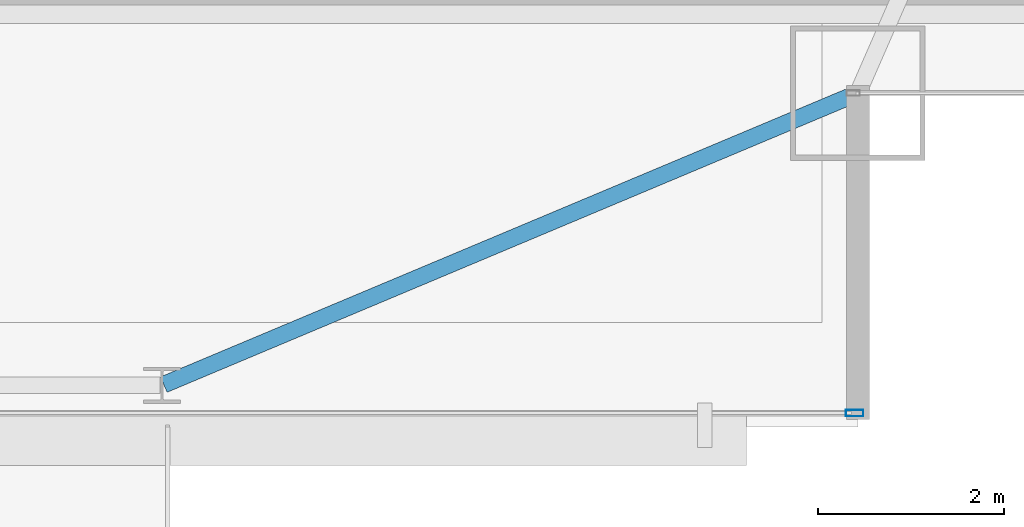
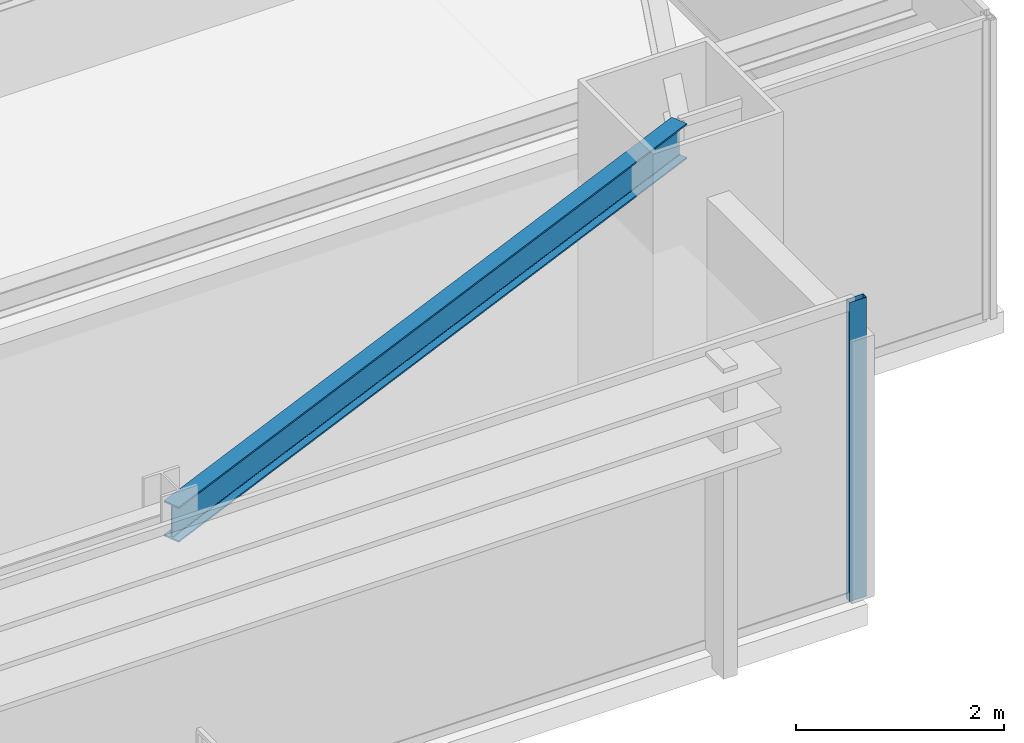
# One storey, part 14 of 31: 1 beam, 1 member, 1 element without a shape of its own.
"""IFC4 building model written with IfcOpenShell, lengths in metres."""

from ifc_helpers import new_model, si_unit, direction, frame, origin, origin_2d, place, context, subcontext, project, spatial, hollow_rectangle, i_section, extrude, source, transform, mapped, material, layer, layer_set, material_profile, profile_set, type_object, type_shapes, element, aggregate, save


model = new_model("IFC4")

# Units and contexts
model_context = context("Model", 3, precision=1e-05, world=origin(), true_north=direction((0.0, 1.0)))
body_context = subcontext(model_context, "Body", "Model", "MODEL_VIEW")
ifc_project = project(units=[si_unit("LENGTHUNIT", "METRE"), si_unit("AREAUNIT", "SQUARE_METRE"), si_unit("VOLUMEUNIT", "CUBIC_METRE"), si_unit("PLANEANGLEUNIT", "RADIAN"), si_unit("MASSUNIT", "GRAM", prefix="KILO")], contexts=[model_context])

# Site, building, storey
site_placement = place(None, origin())
site = spatial("IfcSite", under=ifc_project, at=site_placement, CompositionType="ELEMENT")
building_placement = place(site_placement, origin())
building = spatial("IfcBuilding", under=site, at=building_placement, Name="Varnel Quay Broadcast Tower", CompositionType="ELEMENT")
storey_placement = place(building_placement, frame((0.0, 0.0, 94.60009765625)))
storey = spatial("IfcBuildingStorey", under=building, at=storey_placement, Name="L22", CompositionType="ELEMENT", Elevation=94.60009765625)

# Beam
ifc_material_1 = material(Name="Structural Steel CSA G40.21 350W", Category="steel")
ifc_material_profile_1 = material_profile(ifc_material_1, i_section(OverallWidth=0.180908203125, OverallDepth=0.4169921875, WebThickness=0.010986328125, FlangeThickness=0.018310546875, FilletRadius=0.011962890625, at=origin_2d()), Name="W410X85")
ifc_profile_set_1 = profile_set([ifc_material_profile_1], Name="Structural Steel CSA G40.21 350W")
beam_type = type_object("IfcBeamType", Name="Beam_W410X85", PredefinedType="SPANDREL", material=ifc_profile_set_1)
shared_shape_1 = source(origin(), body_context, "Body", "SweptSolid", [
    extrude(i_section(OverallWidth=0.180908203125, OverallDepth=0.4169921875, WebThickness=0.010986328125, FlangeThickness=0.018310546875, FilletRadius=0.011962890625, at=origin_2d()), origin(), (0.0, 0.0, 1.0), 8.0947265625),
])
type_shapes(beam_type, [shared_shape_1])
beam_placement = place(storey_placement, frame((52.41845703125, 4.65771484375, 3.3115234375), z_axis=(0.921981890247, 0.387232997117, 0.0), x_axis=(-0.387232997117, 0.921981890247, 0.0)))
element("IfcBeam", 1, at=beam_placement, inside=storey, type_object=beam_type, Name="L22 South Spandrel TC-S5-MC-SE", PredefinedType="SPANDREL", context=body_context, shape_type="MappedRepresentation", body=[
    mapped(shared_shape_1, transform((0.0, 0.0, 0.0), x_axis=(1.0, 0.0, 0.0), y_axis=(0.0, 1.0, 0.0), z_axis=(0.0, 0.0, 1.0), scale=1.0)),
])

# Curtain wall, member
ifc_material_2 = material(Name="Anodised Bronze Aluminium 6063-T6", Category="aluminium")
ifc_layer = layer(ifc_material_2, 0.18994140625, Name="Anodised Bronze Aluminium 6063-T6")
ifc_layer_set = layer_set([ifc_layer], Name="Anodised Bronze Aluminium 6063-T6")
curtain_wall_type = type_object("IfcCurtainWallType", Name="CW_LowerTower", PredefinedType="NOTDEFINED", material=ifc_layer_set)
curtain_wall_placement = place(storey_placement, origin())
curtain_wall = element("IfcCurtainWall", 2, at=curtain_wall_placement, inside=storey, type_object=curtain_wall_type, Name="L22 South Unitised Curtain Wall 3", PredefinedType="NOTDEFINED")
ifc_material_profile_2 = material_profile(ifc_material_2, hollow_rectangle(XDim=0.070068359375, YDim=0.18994140625, WallThickness=0.00390625, at=origin_2d()), Name="ALU70X190X4")
ifc_profile_set_2 = profile_set([ifc_material_profile_2], Name="Anodised Bronze Aluminium 6063-T6")
member_type = type_object("IfcMemberType", Name="Mull_CWS-02", PredefinedType="MULLION", material=ifc_profile_set_2)
shared_shape_2 = source(origin(), body_context, "Body", "SweptSolid", [
    extrude(hollow_rectangle(XDim=0.070068359375, YDim=0.18994140625, WallThickness=0.00390625, at=origin_2d()), origin(), (0.0, 0.0, 1.0), 3.52001953125),
])
type_shapes(member_type, [shared_shape_2])
member_placement = place(storey_placement, frame((59.864990234375, 4.35009765625, 0.0), z_axis=(0.0, 0.0, 1.0), x_axis=(0.0, 1.0, 0.0)))
member = element("IfcMember", 3, at=member_placement, type_object=member_type, Name="CWS-02 mullion 2", PredefinedType="MULLION", context=body_context, shape_type="MappedRepresentation", body=[
    mapped(shared_shape_2, transform((0.0, 0.0, 0.0), x_axis=(1.0, 0.0, 0.0), y_axis=(0.0, 1.0, 0.0), z_axis=(0.0, 0.0, 1.0), scale=1.0)),
])
aggregate(curtain_wall, [member])

save(model, "model.ifc")
